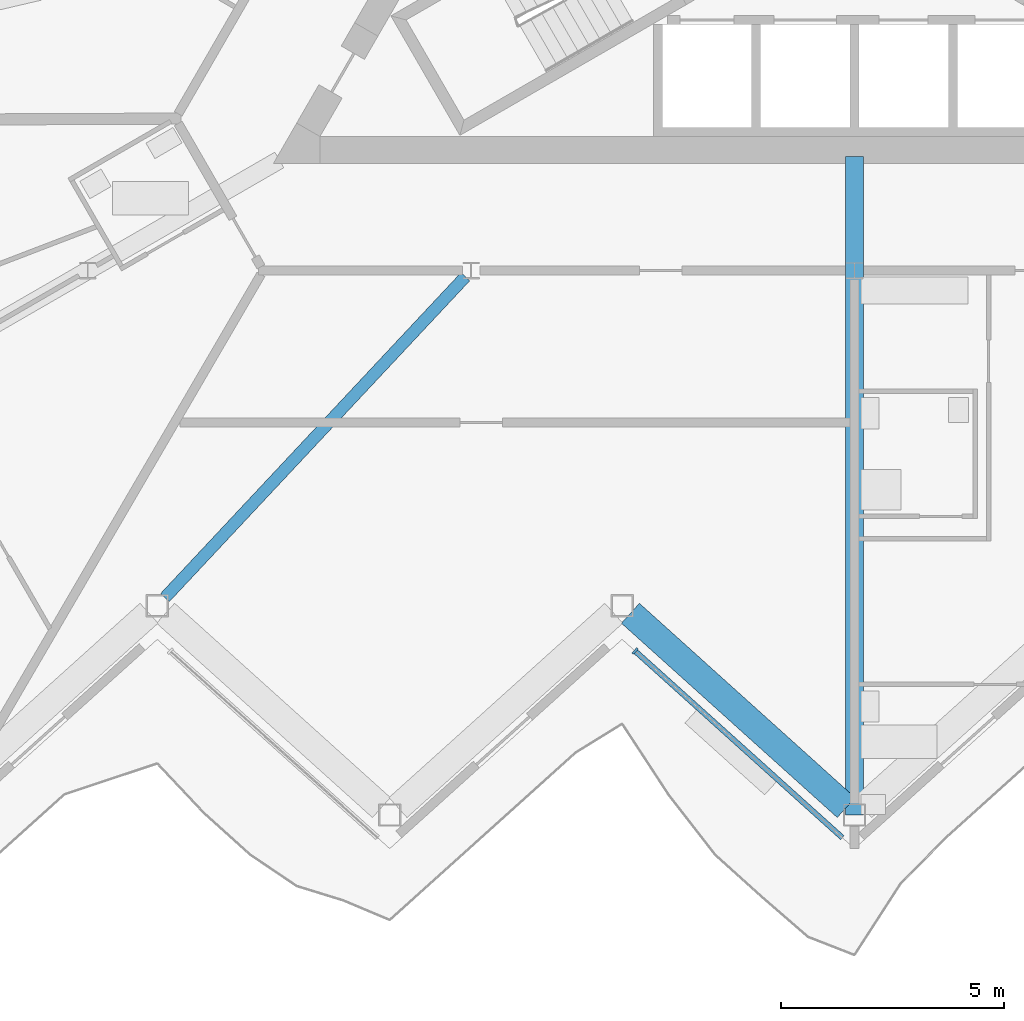
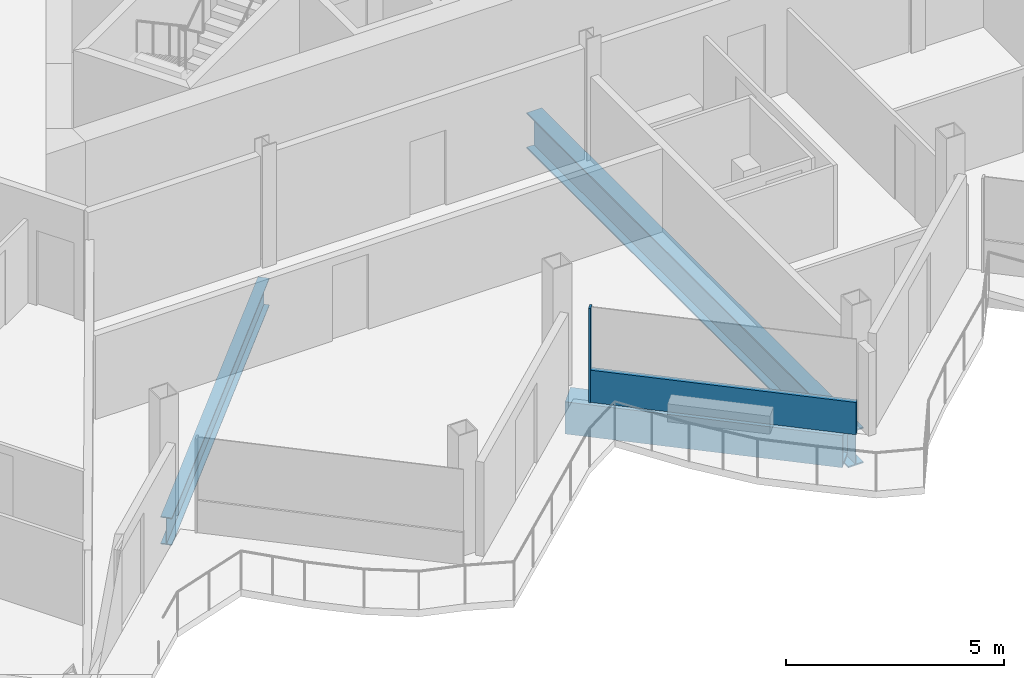
# One storey, part 5 of 27: 3 members, 2 beams, 1 element without a shape of its own.
"""IFC4 building model written with IfcOpenShell, lengths in metres."""

from ifc_helpers import new_model, si_unit, direction, frame, origin, origin_2d, place, context, subcontext, project, spatial, rectangle, hollow_rectangle, i_section, extrude, material, layer, layer_set, material_profile, profile_set, type_object, element, aggregate, save


model = new_model("IFC4")

# Units and contexts
model_context = context("Model", 3, precision=1e-05, world=origin(), true_north=direction((0.0, 1.0)))
body_context = subcontext(model_context, "Body", "Model", "MODEL_VIEW")
ifc_project = project(units=[si_unit("LENGTHUNIT", "METRE"), si_unit("AREAUNIT", "SQUARE_METRE"), si_unit("VOLUMEUNIT", "CUBIC_METRE"), si_unit("PLANEANGLEUNIT", "RADIAN"), si_unit("MASSUNIT", "GRAM", prefix="KILO")], contexts=[model_context])

# Site, building, storey
site_placement = place(None, origin())
site = spatial("IfcSite", under=ifc_project, at=site_placement, CompositionType="ELEMENT")
building_placement = place(site_placement, origin())
building = spatial("IfcBuilding", under=site, at=building_placement, Name="Cormorant Prow Tower", CompositionType="ELEMENT")
storey_placement = place(building_placement, frame((0.0, 0.0, 361.0)))
storey = spatial("IfcBuildingStorey", under=building, at=storey_placement, Name="L80", CompositionType="ELEMENT", Elevation=361.0)

# Beam
ifc_material_1 = material(Name="Structural steel ASTM A572 Gr 50", Category="steel")
ifc_material_profile_1 = material_profile(ifc_material_1, hollow_rectangle(XDim=0.60009765625, YDim=0.89990234375, WallThickness=0.06005859375, at=origin_2d()), Name="Box 900x600x60")
ifc_profile_set_1 = profile_set([ifc_material_profile_1], Name="Structural steel ASTM A572 Gr 50")
beam_type_1 = type_object("IfcBeamType", Name="Belt truss top chord 900x600x60", PredefinedType="BEAM", material=ifc_profile_set_1)
beam_1_placement = place(storey_placement, frame((-5.01416015625, -17.572998046875, -0.75), z_axis=(0.743131573737, -0.669145323614, 0.0), x_axis=(0.669145323614, 0.743131573737, 0.0)))
element("IfcBeam", 1, at=beam_1_placement, inside=storey, type_object=beam_type_1, Name="Belt truss top chord TC2 S04-S05 L80", PredefinedType="BEAM", context=body_context, shape_type="SweptSolid", body=[
    extrude(hollow_rectangle(XDim=0.60009765625, YDim=0.89990234375, WallThickness=0.06005859375, at=origin_2d()), origin(), (0.0, 0.0, 1.0), 6.497314453125),
])

# Member
ifc_material_2 = material(Name="Structural steel ASTM A992 Gr 50", Category="steel")
ifc_material_profile_2 = material_profile(ifc_material_2, i_section(OverallWidth=0.39990234375, OverallDepth=1.000244140625, WebThickness=0.01904296875, FlangeThickness=0.0361328125, at=origin_2d()), Name="W40x249")
ifc_profile_set_2 = profile_set([ifc_material_profile_2], Name="Structural steel ASTM A992 Gr 50")
member_type_1 = type_object("IfcMemberType", Name="Outrigger chord W40x249", PredefinedType="CHORD", material=ifc_profile_set_2)
member_1_placement = place(storey_placement, frame((0.0, -7.35546875, -0.800048828125), z_axis=(0.0, -1.0, 0.0), x_axis=(1.0, 0.0, 0.0)))
element("IfcMember", 2, at=member_1_placement, inside=storey, type_object=member_type_1, Name="Outrigger top chord 4 L80", PredefinedType="CHORD", context=body_context, shape_type="SweptSolid", body=[
    extrude(i_section(OverallWidth=0.39990234375, OverallDepth=1.000244140625, WebThickness=0.01904296875, FlangeThickness=0.0361328125, at=origin_2d()), origin(), (0.0, 0.0, 1.0), 14.732421875),
])

# Beam
ifc_material_3 = material(Name="Structural steel ASTM A992 Gr 50", Category="steel")
ifc_material_profile_3 = material_profile(ifc_material_3, i_section(OverallWidth=0.267822265625, OverallDepth=0.77001953125, WebThickness=0.015625, FlangeThickness=0.025390625, at=origin_2d()), Name="W30x132")
ifc_profile_set_3 = profile_set([ifc_material_profile_3], Name="Structural steel ASTM A992 Gr 50")
beam_type_2 = type_object("IfcBeamType", Name="Radial floor beam W30x132", PredefinedType="BEAM", material=ifc_profile_set_3)
beam_2_placement = place(storey_placement, frame((-8.706298828125, -10.0419921875, -0.68505859375), z_axis=(-0.683430760659, -0.730015339144, 0.0), x_axis=(0.730015339144, -0.683430760659, 0.0)))
element("IfcBeam", 3, at=beam_2_placement, inside=storey, type_object=beam_type_2, Name="Radial floor beam FB3 6 L80", PredefinedType="BEAM", context=body_context, shape_type="SweptSolid", body=[
    extrude(i_section(OverallWidth=0.267822265625, OverallDepth=0.77001953125, WebThickness=0.015625, FlangeThickness=0.025390625, at=origin_2d()), origin(), (0.0, 0.0, 1.0), 9.8369140625),
])

# Curtain wall, members
ifc_material_4 = material(Name="Aluminium 6063-T6", Category="aluminium")
ifc_layer = layer(ifc_material_4, 0.159912109375)
ifc_layer_set = layer_set([ifc_layer], Name="Aluminium 6063-T6")
curtain_wall_type = type_object("IfcCurtainWallType", Name="Residential unitised curtain wall 160", PredefinedType="NOTDEFINED", material=ifc_layer_set)
curtain_wall_placement = place(storey_placement, origin())
curtain_wall = element("IfcCurtainWall", 4, at=curtain_wall_placement, inside=storey, type_object=curtain_wall_type, Name="Residential curtain wall S04", PredefinedType="NOTDEFINED")
ifc_material_5 = material(Name="Aluminium 6063-T6", Category="aluminium")
ifc_material_profile_4 = material_profile(ifc_material_5, rectangle(XDim=0.159912109375, YDim=0.050048828125, at=origin_2d()), Name="Residential mullion 50x160")
ifc_profile_set_4 = profile_set([ifc_material_profile_4], Name="Aluminium 6063-T6")
member_type_2 = type_object("IfcMemberType", Name="Residential mullion 50x160", PredefinedType="MULLION", material=ifc_profile_set_4)
member_2_placement = place(storey_placement, frame((-4.909423828125, -18.4189453125, 0.0), z_axis=(0.0, 0.0, 1.0), x_axis=(0.669130682884, 0.743144756574, 0.0)))
member_2 = element("IfcMember", 5, at=member_2_placement, type_object=member_type_2, Name="Residential mullion S04", PredefinedType="MULLION", context=body_context, shape_type="SweptSolid", body=[
    extrude(rectangle(XDim=0.159912109375, YDim=0.050048828125, at=origin_2d()), origin(), (0.0, 0.0, 1.0), 2.6337890625),
])
ifc_material_6 = material(Name="Terracotta", Category="masonry")
ifc_material_profile_5 = material_profile(ifc_material_6, rectangle(XDim=0.1201171875, YDim=0.89990234375, at=origin_2d()), Name="Residential terracotta spandrel rail 120x900")
ifc_profile_set_5 = profile_set([ifc_material_profile_5], Name="Terracotta")
member_type_3 = type_object("IfcMemberType", Name="Residential terracotta spandrel rail 120x900", PredefinedType="USERDEFINED", material=ifc_profile_set_5)
member_3_placement = place(storey_placement, frame((-4.890869140625, -18.435791015625, 0.449951171875), z_axis=(0.743159360055, -0.669114463723, 0.0), x_axis=(0.669114463723, 0.743159360055, 0.0)))
member_3 = element("IfcMember", 6, at=member_3_placement, type_object=member_type_3, Name="Residential spandrel rail S04", ObjectType="TRANSOM", PredefinedType="USERDEFINED", context=body_context, shape_type="SweptSolid", body=[
    extrude(rectangle(XDim=0.1201171875, YDim=0.89990234375, at=origin_2d()), origin(), (0.0, 0.0, 1.0), 6.21533203125),
])
aggregate(curtain_wall, [member_2, member_3])

save(model, "model.ifc")
